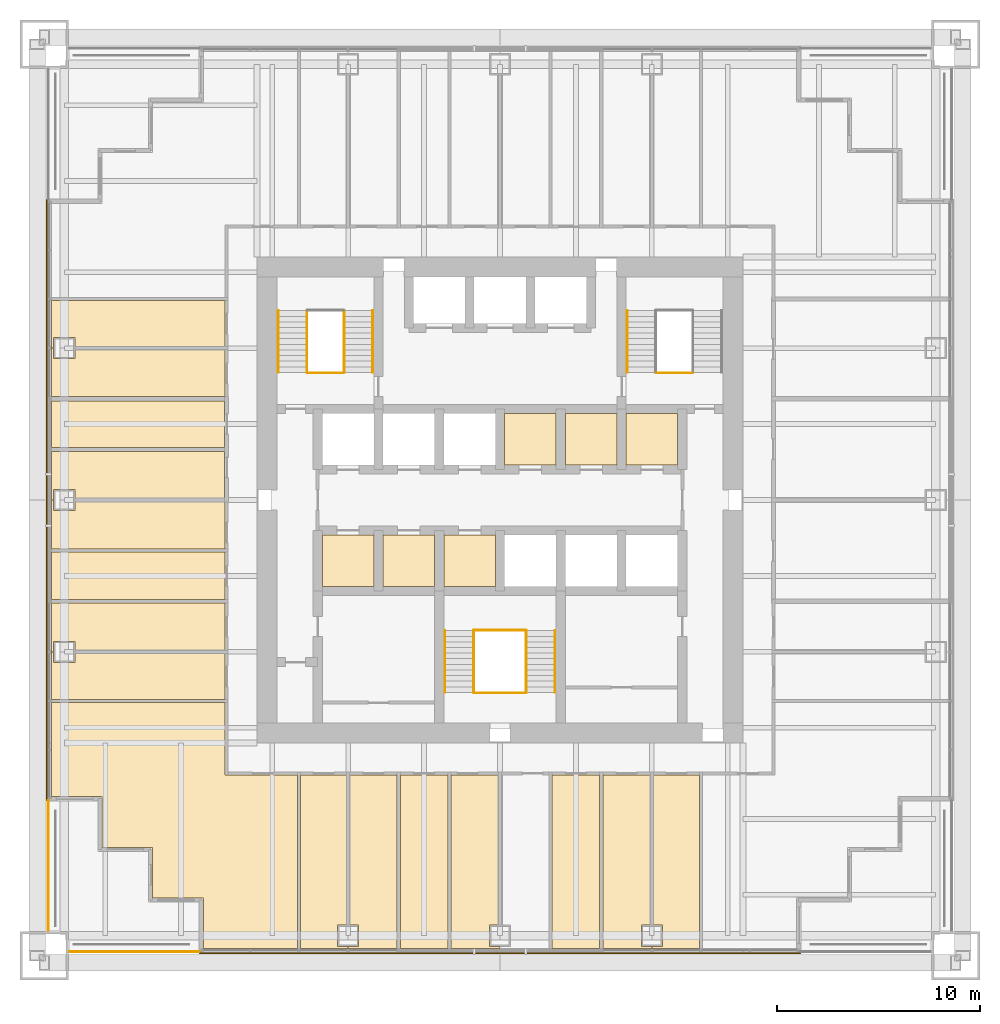
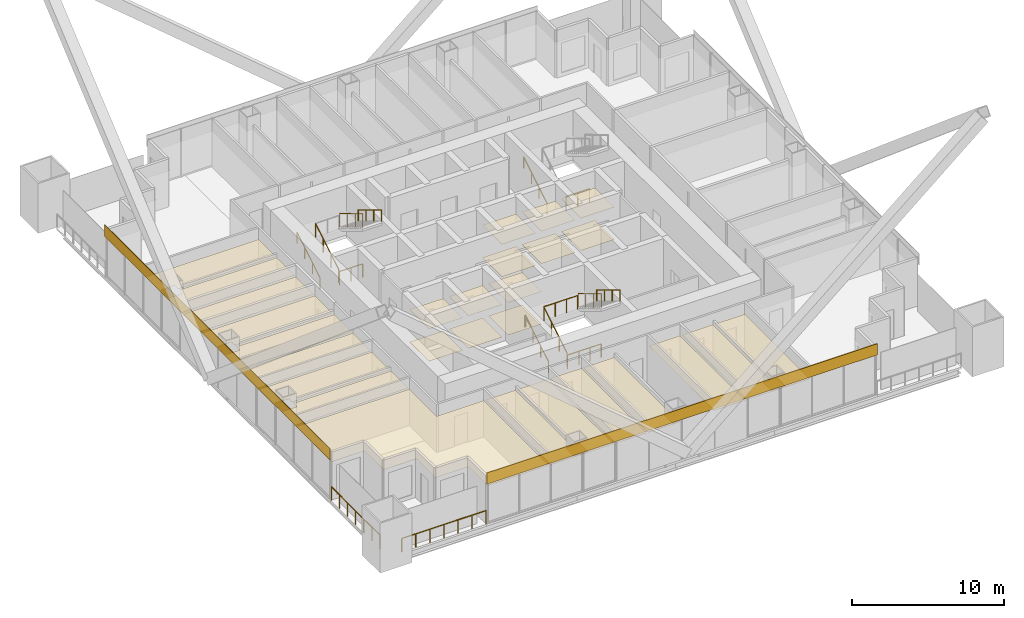
# One storey, part 16 of 17: 30 coverings, 15 railings.
"""IFC4 building model written with IfcOpenShell, lengths in metres."""

from ifc_helpers import new_model, si_unit, direction, frame, origin, origin_2d, place, context, subcontext, project, spatial, polyline, rectangle, circle, outline, extrude, material, layer, layer_set, type_object, element, save


model = new_model("IFC4")

# Units and contexts
model_context = context("Model", 3, precision=1e-05, world=origin(), true_north=direction((0.0, 1.0)))
body_context = subcontext(model_context, "Body", "Model", "MODEL_VIEW")
ifc_project = project(units=[si_unit("LENGTHUNIT", "METRE"), si_unit("AREAUNIT", "SQUARE_METRE"), si_unit("VOLUMEUNIT", "CUBIC_METRE"), si_unit("PLANEANGLEUNIT", "RADIAN"), si_unit("MASSUNIT", "GRAM", prefix="KILO")], contexts=[model_context])

# Site, building, storey
site_placement = place(None, origin())
site = spatial("IfcSite", under=ifc_project, at=site_placement, CompositionType="ELEMENT")
building_placement = place(site_placement, origin())
building = spatial("IfcBuilding", under=site, at=building_placement, Name="Tarangal Relay Tower", CompositionType="ELEMENT")
storey_placement = place(building_placement, frame((0.0, 0.0, 233.89990234375)))
storey = spatial("IfcBuildingStorey", under=building, at=storey_placement, Name="L50", CompositionType="ELEMENT", Elevation=233.89990234375)

# Coverings
ifc_material_1 = material(Name="Anti-static vinyl flooring", Category="plastic")
ifc_layer_1 = layer(ifc_material_1, 0.010009765625)
ifc_layer_set_1 = layer_set([ifc_layer_1], Name="Anti-static vinyl floor")
covering_type_1 = type_object("IfcCoveringType", Name="Anti-static vinyl floor", PredefinedType="FLOORING", material=ifc_layer_set_1)
covering_1_placement = place(storey_placement, origin())
element("IfcCovering", 1, at=covering_1_placement, inside=storey, type_object=covering_type_1, Name="Floor finish FL1 L50-T1", PredefinedType="FLOORING", context=body_context, shape_type="SweptSolid", body=[
    extrude(outline(polyline([(0.22509765625, 1.72509765625), (2.77490234375, 1.72509765625), (2.77490234375, 4.27490234375), (0.22509765625, 4.27490234375), (0.22509765625, 1.72509765625)])), origin(), (0.0, 0.0, 1.0), 0.010009765625),
])
covering_2_placement = place(storey_placement, origin())
element("IfcCovering", 2, at=covering_2_placement, inside=storey, type_object=covering_type_1, Name="Floor finish FL1 L50-T2", PredefinedType="FLOORING", context=body_context, shape_type="SweptSolid", body=[
    extrude(outline(polyline([(3.22509765625, 1.72509765625), (5.77490234375, 1.72509765625), (5.77490234375, 4.27490234375), (3.22509765625, 4.27490234375), (3.22509765625, 1.72509765625)])), origin(), (0.0, 0.0, 1.0), 0.010009765625),
])
covering_3_placement = place(storey_placement, origin())
element("IfcCovering", 3, at=covering_3_placement, inside=storey, type_object=covering_type_1, Name="Floor finish FL1 L50-T3", PredefinedType="FLOORING", context=body_context, shape_type="SweptSolid", body=[
    extrude(outline(polyline([(6.22509765625, 1.72509765625), (8.77490234375, 1.72509765625), (8.77490234375, 4.27490234375), (6.22509765625, 4.27490234375), (6.22509765625, 1.72509765625)])), origin(), (0.0, 0.0, 1.0), 0.010009765625),
])
covering_4_placement = place(storey_placement, origin())
element("IfcCovering", 4, at=covering_4_placement, inside=storey, type_object=covering_type_1, Name="Floor finish FL1 L50-S1", PredefinedType="FLOORING", context=body_context, shape_type="SweptSolid", body=[
    extrude(outline(polyline([(-8.77490234375, -4.27490234375), (-6.22509765625, -4.27490234375), (-6.22509765625, -1.72509765625), (-8.77490234375, -1.72509765625), (-8.77490234375, -4.27490234375)])), origin(), (0.0, 0.0, 1.0), 0.010009765625),
])
covering_5_placement = place(storey_placement, origin())
element("IfcCovering", 5, at=covering_5_placement, inside=storey, type_object=covering_type_1, Name="Floor finish FL1 L50-S2", PredefinedType="FLOORING", context=body_context, shape_type="SweptSolid", body=[
    extrude(outline(polyline([(-5.77490234375, -4.27490234375), (-3.22509765625, -4.27490234375), (-3.22509765625, -1.72509765625), (-5.77490234375, -1.72509765625), (-5.77490234375, -4.27490234375)])), origin(), (0.0, 0.0, 1.0), 0.010009765625),
])
covering_6_placement = place(storey_placement, origin())
element("IfcCovering", 6, at=covering_6_placement, inside=storey, type_object=covering_type_1, Name="Floor finish FL1 L50-S3", PredefinedType="FLOORING", context=body_context, shape_type="SweptSolid", body=[
    extrude(outline(polyline([(-2.77490234375, -4.27490234375), (-0.22509765625, -4.27490234375), (-0.22509765625, -1.72509765625), (-2.77490234375, -1.72509765625), (-2.77490234375, -4.27490234375)])), origin(), (0.0, 0.0, 1.0), 0.010009765625),
])
ifc_material_2 = material(Name="Black anodised aluminium cladding", Category="aluminium")
ifc_layer_2 = layer(ifc_material_2, 0.050048828125)
ifc_layer_set_2 = layer_set([ifc_layer_2], Name="Black metal spandrel band")
covering_type_2 = type_object("IfcCoveringType", Name="Black metal spandrel band", PredefinedType="CLADDING", material=ifc_layer_set_2)
for number, where, z_axis, x_axis, name in (
    (7, (0.0, -22.375, 3.250244140625), (0.0, 0.0, 1.0), (-1.0, 0.0, 0.0), "Spandrel band SB1 S L50"),
    (8, (-22.375, 0.0, 3.250244140625), (0.0, 0.0, 1.0), (0.0, 1.0, 0.0), "Spandrel band SB1 W L50"),
):
    element("IfcCovering", number, at=place(storey_placement, frame(where, z_axis=z_axis, x_axis=x_axis)), inside=storey, type_object=covering_type_2, Name=name, PredefinedType="CLADDING", context=body_context, shape_type="SweptSolid", body=[
        extrude(rectangle(XDim=29.699951171875, YDim=0.050048828125, at=origin_2d()), origin(), (0.0, 0.0, 1.0), 0.89990234375),
    ])

# Railings
ifc_material_3 = material(Name="Steel guard, black finish", Category="steel")
railing_type_1 = type_object("IfcRailingType", Name="Stair guard 1100", PredefinedType="GUARDRAIL", material=ifc_material_3)
railing_1_placement = place(storey_placement, frame((-9.530029296875, 6.300048828125, 0.166748046875)))
element("IfcRailing", 9, at=railing_1_placement, inside=storey, type_object=railing_type_1, Name="Stair ST-A guard GR1 L50 flight 1", PredefinedType="GUARDRAIL", context=body_context, shape_type="SweptSolid", body=[
    extrude(circle(Radius=0.02392578125, at=origin_2d()), frame((0.0, 0.0, 1.076171875), z_axis=(0.0, 0.85685617095, 0.515555527858), x_axis=(-1.0, 0.0, 0.0)), (0.0, 0.0, 1.0), 3.555908203125),
    extrude(circle(Radius=0.02099609375, at=origin_2d()), origin(), (0.0, 0.0, 1.0), 1.052001953125),
    extrude(circle(Radius=0.02099609375, at=origin_2d()), frame((0.0, 1.015625, 0.611083984375)), (0.0, 0.0, 1.0), 1.052001953125),
    extrude(circle(Radius=0.02099609375, at=origin_2d()), frame((0.0, 2.03125, 1.22216796875)), (0.0, 0.0, 1.0), 1.052001953125),
    extrude(circle(Radius=0.02099609375, at=origin_2d()), frame((0.0, 3.046875, 1.833251953125)), (0.0, 0.0, 1.0), 1.052001953125),
])
railing_2_placement = place(storey_placement, frame((-7.695068359375, 9.346923828125, 2.166748046875)))
element("IfcRailing", 10, at=railing_2_placement, inside=storey, type_object=railing_type_1, Name="Stair ST-A guard GR1 L50 flight 2", PredefinedType="GUARDRAIL", context=body_context, shape_type="SweptSolid", body=[
    extrude(circle(Radius=0.02392578125, at=origin_2d()), frame((0.0, 0.0, 1.076171875), z_axis=(0.0, -0.85685617095, 0.515555527858), x_axis=(1.0, 0.0, 0.0)), (0.0, 0.0, 1.0), 3.555908203125),
    extrude(circle(Radius=0.02099609375, at=origin_2d()), origin(), (0.0, 0.0, 1.0), 1.052001953125),
    extrude(circle(Radius=0.02099609375, at=origin_2d()), frame((0.0, -1.015625, 0.611083984375)), (0.0, 0.0, 1.0), 1.052001953125),
    extrude(circle(Radius=0.02099609375, at=origin_2d()), frame((0.0, -2.03125, 1.22216796875)), (0.0, 0.0, 1.0), 1.052001953125),
    extrude(circle(Radius=0.02099609375, at=origin_2d()), frame((0.0, -3.046875, 1.833251953125)), (0.0, 0.0, 1.0), 1.052001953125),
])
for number, where, name in (
    (11, (-9.5, 6.27001953125, 0.0), "Stair ST-A landing guard GR1 L50"),
    (12, (7.72509765625, 6.27001953125, 0.0), "Stair ST-B landing guard GR1 L50"),
):
    element("IfcRailing", number, at=place(storey_placement, frame(where)), inside=storey, type_object=railing_type_1, Name=name, PredefinedType="GUARDRAIL", context=body_context, shape_type="SweptSolid", body=[
        extrude(circle(Radius=0.02392578125, at=origin_2d()), frame((0.0, 0.0, 1.076171875), z_axis=(1.0, 0.0, 0.0), x_axis=(0.0, 1.0, 0.0)), (0.0, 0.0, 1.0), 1.77490234375),
        extrude(circle(Radius=0.02099609375, at=origin_2d()), origin(), (0.0, 0.0, 1.0), 1.052001953125),
        extrude(circle(Radius=0.02099609375, at=origin_2d()), frame((0.887451171875, 0.0, 0.0)), (0.0, 0.0, 1.0), 1.052001953125),
        extrude(circle(Radius=0.02099609375, at=origin_2d()), frame((1.77490234375, 0.0, 0.0)), (0.0, 0.0, 1.0), 1.052001953125),
    ])
railing_3_placement = place(storey_placement, frame((-1.304931640625, -9.5, 0.166748046875)))
element("IfcRailing", 13, at=railing_3_placement, inside=storey, type_object=railing_type_1, Name="Stair ST-C guard GR1 L50 flight 1", PredefinedType="GUARDRAIL", context=body_context, shape_type="SweptSolid", body=[
    extrude(circle(Radius=0.02392578125, at=origin_2d()), frame((0.0, 0.0, 1.076171875), z_axis=(0.0, 0.856874418557, 0.515525199018), x_axis=(-1.0, 0.0, 0.0)), (0.0, 0.0, 1.0), 3.55615234375),
    extrude(circle(Radius=0.02099609375, at=origin_2d()), origin(), (0.0, 0.0, 1.0), 1.052001953125),
    extrude(circle(Radius=0.02099609375, at=origin_2d()), frame((0.0, 1.015625, 0.611083984375)), (0.0, 0.0, 1.0), 1.052001953125),
    extrude(circle(Radius=0.02099609375, at=origin_2d()), frame((0.0, 2.031494140625, 1.22216796875)), (0.0, 0.0, 1.0), 1.052001953125),
    extrude(circle(Radius=0.02099609375, at=origin_2d()), frame((0.0, 3.047119140625, 1.833251953125)), (0.0, 0.0, 1.0), 1.052001953125),
])
railing_4_placement = place(storey_placement, frame((1.304931640625, -6.452880859375, 2.166748046875)))
element("IfcRailing", 14, at=railing_4_placement, inside=storey, type_object=railing_type_1, Name="Stair ST-C guard GR1 L50 flight 2", PredefinedType="GUARDRAIL", context=body_context, shape_type="SweptSolid", body=[
    extrude(circle(Radius=0.02392578125, at=origin_2d()), frame((0.0, 0.0, 1.076171875), z_axis=(0.0, -0.856874418557, 0.515525199018), x_axis=(1.0, 0.0, 0.0)), (0.0, 0.0, 1.0), 3.55615234375),
    extrude(circle(Radius=0.02099609375, at=origin_2d()), origin(), (0.0, 0.0, 1.0), 1.052001953125),
    extrude(circle(Radius=0.02099609375, at=origin_2d()), frame((0.0, -1.015625, 0.611083984375)), (0.0, 0.0, 1.0), 1.052001953125),
    extrude(circle(Radius=0.02099609375, at=origin_2d()), frame((0.0, -2.031494140625, 1.22216796875)), (0.0, 0.0, 1.0), 1.052001953125),
    extrude(circle(Radius=0.02099609375, at=origin_2d()), frame((0.0, -3.047119140625, 1.833251953125)), (0.0, 0.0, 1.0), 1.052001953125),
])
for number, where, name in (
    (15, (-1.27490234375, -9.530029296875, 0.0), "Stair ST-C landing guard GR1 L50"),
    (16, (-1.27490234375, -6.423095703125, 2.0), "Stair ST-C landing guard GR1 L50"),
):
    element("IfcRailing", number, at=place(storey_placement, frame(where)), inside=storey, type_object=railing_type_1, Name=name, PredefinedType="GUARDRAIL", context=body_context, shape_type="SweptSolid", body=[
        extrude(circle(Radius=0.02392578125, at=origin_2d()), frame((0.0, 0.0, 1.076171875), z_axis=(1.0, 0.0, 0.0), x_axis=(0.0, 1.0, 0.0)), (0.0, 0.0, 1.0), 2.5498046875),
        extrude(circle(Radius=0.02099609375, at=origin_2d()), origin(), (0.0, 0.0, 1.0), 1.052001953125),
        extrude(circle(Radius=0.02099609375, at=origin_2d()), frame((0.849853515625, 0.0, 0.0)), (0.0, 0.0, 1.0), 1.052001953125),
        extrude(circle(Radius=0.02099609375, at=origin_2d()), frame((1.699951171875, 0.0, 0.0)), (0.0, 0.0, 1.0), 1.052001953125),
        extrude(circle(Radius=0.02099609375, at=origin_2d()), frame((2.5498046875, 0.0, 0.0)), (0.0, 0.0, 1.0), 1.052001953125),
    ])
ifc_material_4 = material(Name="Steel handrail, black finish", Category="steel")
railing_type_2 = type_object("IfcRailingType", Name="Stair handrail 900", PredefinedType="HANDRAIL", material=ifc_material_4)
railing_5_placement = place(storey_placement, frame((-10.93994140625, 6.300048828125, 0.166748046875)))
element("IfcRailing", 17, at=railing_5_placement, inside=storey, type_object=railing_type_2, Name="Stair ST-A handrail HR1 L50 flight 1", PredefinedType="HANDRAIL", context=body_context, shape_type="SweptSolid", body=[
    extrude(circle(Radius=0.02392578125, at=origin_2d()), frame((0.0, 0.0, 0.8759765625), z_axis=(0.0, 0.85685617095, 0.515555527858), x_axis=(-1.0, 0.0, 0.0)), (0.0, 0.0, 1.0), 3.555908203125),
    extrude(circle(Radius=0.02099609375, at=origin_2d()), origin(), (0.0, 0.0, 1.0), 0.851806640625),
    extrude(circle(Radius=0.02099609375, at=origin_2d()), frame((0.0, 1.015625, 0.611083984375)), (0.0, 0.0, 1.0), 0.851806640625),
    extrude(circle(Radius=0.02099609375, at=origin_2d()), frame((0.0, 2.03125, 1.22216796875)), (0.0, 0.0, 1.0), 0.851806640625),
    extrude(circle(Radius=0.02099609375, at=origin_2d()), frame((0.0, 3.046875, 1.833251953125)), (0.0, 0.0, 1.0), 0.851806640625),
])
railing_6_placement = place(storey_placement, frame((-6.284912109375, 9.346923828125, 2.166748046875)))
element("IfcRailing", 18, at=railing_6_placement, inside=storey, type_object=railing_type_2, Name="Stair ST-A handrail HR1 L50 flight 2", PredefinedType="HANDRAIL", context=body_context, shape_type="SweptSolid", body=[
    extrude(circle(Radius=0.02392578125, at=origin_2d()), frame((0.0, 0.0, 0.8759765625), z_axis=(0.0, -0.85685617095, 0.515555527858), x_axis=(1.0, 0.0, 0.0)), (0.0, 0.0, 1.0), 3.555908203125),
    extrude(circle(Radius=0.02099609375, at=origin_2d()), origin(), (0.0, 0.0, 1.0), 0.851806640625),
    extrude(circle(Radius=0.02099609375, at=origin_2d()), frame((0.0, -1.015625, 0.611083984375)), (0.0, 0.0, 1.0), 0.851806640625),
    extrude(circle(Radius=0.02099609375, at=origin_2d()), frame((0.0, -2.03125, 1.22216796875)), (0.0, 0.0, 1.0), 0.851806640625),
    extrude(circle(Radius=0.02099609375, at=origin_2d()), frame((0.0, -3.046875, 1.833251953125)), (0.0, 0.0, 1.0), 0.851806640625),
])
railing_7_placement = place(storey_placement, frame((6.284912109375, 6.300048828125, 0.166748046875)))
element("IfcRailing", 19, at=railing_7_placement, inside=storey, type_object=railing_type_2, Name="Stair ST-B handrail HR1 L50 flight 1", PredefinedType="HANDRAIL", context=body_context, shape_type="SweptSolid", body=[
    extrude(circle(Radius=0.02392578125, at=origin_2d()), frame((0.0, 0.0, 0.8759765625), z_axis=(0.0, 0.85685617095, 0.515555527858), x_axis=(-1.0, 0.0, 0.0)), (0.0, 0.0, 1.0), 3.555908203125),
    extrude(circle(Radius=0.02099609375, at=origin_2d()), origin(), (0.0, 0.0, 1.0), 0.851806640625),
    extrude(circle(Radius=0.02099609375, at=origin_2d()), frame((0.0, 1.015625, 0.611083984375)), (0.0, 0.0, 1.0), 0.851806640625),
    extrude(circle(Radius=0.02099609375, at=origin_2d()), frame((0.0, 2.03125, 1.22216796875)), (0.0, 0.0, 1.0), 0.851806640625),
    extrude(circle(Radius=0.02099609375, at=origin_2d()), frame((0.0, 3.046875, 1.833251953125)), (0.0, 0.0, 1.0), 0.851806640625),
])
railing_8_placement = place(storey_placement, frame((-2.715087890625, -9.5, 0.166748046875)))
element("IfcRailing", 20, at=railing_8_placement, inside=storey, type_object=railing_type_2, Name="Stair ST-C handrail HR1 L50 flight 1", PredefinedType="HANDRAIL", context=body_context, shape_type="SweptSolid", body=[
    extrude(circle(Radius=0.02392578125, at=origin_2d()), frame((0.0, 0.0, 0.8759765625), z_axis=(0.0, 0.856874418557, 0.515525199018), x_axis=(-1.0, 0.0, 0.0)), (0.0, 0.0, 1.0), 3.55615234375),
    extrude(circle(Radius=0.02099609375, at=origin_2d()), origin(), (0.0, 0.0, 1.0), 0.851806640625),
    extrude(circle(Radius=0.02099609375, at=origin_2d()), frame((0.0, 1.015625, 0.611083984375)), (0.0, 0.0, 1.0), 0.851806640625),
    extrude(circle(Radius=0.02099609375, at=origin_2d()), frame((0.0, 2.031494140625, 1.22216796875)), (0.0, 0.0, 1.0), 0.851806640625),
    extrude(circle(Radius=0.02099609375, at=origin_2d()), frame((0.0, 3.047119140625, 1.833251953125)), (0.0, 0.0, 1.0), 0.851806640625),
])
railing_9_placement = place(storey_placement, frame((2.715087890625, -6.452880859375, 2.166748046875)))
element("IfcRailing", 21, at=railing_9_placement, inside=storey, type_object=railing_type_2, Name="Stair ST-C handrail HR1 L50 flight 2", PredefinedType="HANDRAIL", context=body_context, shape_type="SweptSolid", body=[
    extrude(circle(Radius=0.02392578125, at=origin_2d()), frame((0.0, 0.0, 0.8759765625), z_axis=(0.0, -0.856874418557, 0.515525199018), x_axis=(1.0, 0.0, 0.0)), (0.0, 0.0, 1.0), 3.55615234375),
    extrude(circle(Radius=0.02099609375, at=origin_2d()), origin(), (0.0, 0.0, 1.0), 0.851806640625),
    extrude(circle(Radius=0.02099609375, at=origin_2d()), frame((0.0, -1.015625, 0.611083984375)), (0.0, 0.0, 1.0), 0.851806640625),
    extrude(circle(Radius=0.02099609375, at=origin_2d()), frame((0.0, -2.031494140625, 1.22216796875)), (0.0, 0.0, 1.0), 0.851806640625),
    extrude(circle(Radius=0.02099609375, at=origin_2d()), frame((0.0, -3.047119140625, 1.833251953125)), (0.0, 0.0, 1.0), 0.851806640625),
])

# Coverings
ifc_material_5 = material(Name="Mineral fibre ceiling tiles", Category="gypsum")
ifc_layer_3 = layer(ifc_material_5, 0.02001953125)
ifc_layer_set_3 = layer_set([ifc_layer_3], Name="Suspended ceiling")
covering_type_3 = type_object("IfcCoveringType", Name="Suspended ceiling", PredefinedType="CEILING", material=ifc_layer_set_3)
covering_7_placement = place(storey_placement, frame((0.0, 0.0, 2.60009765625)))
element("IfcCovering", 22, at=covering_7_placement, inside=storey, type_object=covering_type_3, Name="Suspended ceiling CL1 L50-T1", PredefinedType="CEILING", context=body_context, shape_type="SweptSolid", body=[
    extrude(outline(polyline([(0.22509765625, 1.72509765625), (2.77490234375, 1.72509765625), (2.77490234375, 4.27490234375), (0.22509765625, 4.27490234375), (0.22509765625, 1.72509765625)])), origin(), (0.0, 0.0, 1.0), 0.02001953125),
])
covering_8_placement = place(storey_placement, frame((0.0, 0.0, 2.60009765625)))
element("IfcCovering", 23, at=covering_8_placement, inside=storey, type_object=covering_type_3, Name="Suspended ceiling CL1 L50-T2", PredefinedType="CEILING", context=body_context, shape_type="SweptSolid", body=[
    extrude(outline(polyline([(3.22509765625, 1.72509765625), (5.77490234375, 1.72509765625), (5.77490234375, 4.27490234375), (3.22509765625, 4.27490234375), (3.22509765625, 1.72509765625)])), origin(), (0.0, 0.0, 1.0), 0.02001953125),
])
covering_9_placement = place(storey_placement, frame((0.0, 0.0, 2.60009765625)))
element("IfcCovering", 24, at=covering_9_placement, inside=storey, type_object=covering_type_3, Name="Suspended ceiling CL1 L50-T3", PredefinedType="CEILING", context=body_context, shape_type="SweptSolid", body=[
    extrude(outline(polyline([(6.22509765625, 1.72509765625), (8.77490234375, 1.72509765625), (8.77490234375, 4.27490234375), (6.22509765625, 4.27490234375), (6.22509765625, 1.72509765625)])), origin(), (0.0, 0.0, 1.0), 0.02001953125),
])
covering_10_placement = place(storey_placement, frame((0.0, 0.0, 2.60009765625)))
element("IfcCovering", 25, at=covering_10_placement, inside=storey, type_object=covering_type_3, Name="Suspended ceiling CL1 L50-S1", PredefinedType="CEILING", context=body_context, shape_type="SweptSolid", body=[
    extrude(outline(polyline([(-8.77490234375, -4.27490234375), (-6.22509765625, -4.27490234375), (-6.22509765625, -1.72509765625), (-8.77490234375, -1.72509765625), (-8.77490234375, -4.27490234375)])), origin(), (0.0, 0.0, 1.0), 0.02001953125),
])
covering_11_placement = place(storey_placement, frame((0.0, 0.0, 2.60009765625)))
element("IfcCovering", 26, at=covering_11_placement, inside=storey, type_object=covering_type_3, Name="Suspended ceiling CL1 L50-S2", PredefinedType="CEILING", context=body_context, shape_type="SweptSolid", body=[
    extrude(outline(polyline([(-5.77490234375, -4.27490234375), (-3.22509765625, -4.27490234375), (-3.22509765625, -1.72509765625), (-5.77490234375, -1.72509765625), (-5.77490234375, -4.27490234375)])), origin(), (0.0, 0.0, 1.0), 0.02001953125),
])
covering_12_placement = place(storey_placement, frame((0.0, 0.0, 2.60009765625)))
element("IfcCovering", 27, at=covering_12_placement, inside=storey, type_object=covering_type_3, Name="Suspended ceiling CL1 L50-S3", PredefinedType="CEILING", context=body_context, shape_type="SweptSolid", body=[
    extrude(outline(polyline([(-2.77490234375, -4.27490234375), (-0.22509765625, -4.27490234375), (-0.22509765625, -1.72509765625), (-2.77490234375, -1.72509765625), (-2.77490234375, -4.27490234375)])), origin(), (0.0, 0.0, 1.0), 0.02001953125),
])
covering_13_placement = place(storey_placement, frame((0.0, 0.0, 2.900146484375)))
element("IfcCovering", 28, at=covering_13_placement, inside=storey, type_object=covering_type_3, Name="Suspended ceiling CL1 L50-15", PredefinedType="CEILING", context=body_context, shape_type="SweptSolid", body=[
    extrude(outline(polyline([(7.5, -22.14990234375), (9.842041015625, -22.14990234375), (9.842041015625, -13.574951171875), (7.574951171875, -13.574951171875), (7.574951171875, -20.989990234375), (8.02490234375, -20.989990234375), (8.02490234375, -22.0400390625), (7.5, -22.0400390625), (7.5, -22.14990234375)])), origin(), (0.0, 0.0, 1.0), 0.02001953125),
])
covering_14_placement = place(storey_placement, frame((0.0, 0.0, 2.900146484375)))
element("IfcCovering", 29, at=covering_14_placement, inside=storey, type_object=covering_type_3, Name="Suspended ceiling CL1 L50-16", PredefinedType="CEILING", context=body_context, shape_type="SweptSolid", body=[
    extrude(outline(polyline([(5.074951171875, -22.14990234375), (7.5, -22.14990234375), (7.5, -22.0400390625), (6.97509765625, -22.0400390625), (6.97509765625, -20.989990234375), (7.425048828125, -20.989990234375), (7.425048828125, -13.574951171875), (5.074951171875, -13.574951171875), (5.074951171875, -22.14990234375)])), origin(), (0.0, 0.0, 1.0), 0.02001953125),
])
covering_15_placement = place(storey_placement, frame((0.0, 0.0, 2.900146484375)))
element("IfcCovering", 30, at=covering_15_placement, inside=storey, type_object=covering_type_3, Name="Suspended ceiling CL1 L50-17", PredefinedType="CEILING", context=body_context, shape_type="SweptSolid", body=[
    extrude(outline(polyline([(4.925048828125, -22.14990234375), (4.925048828125, -13.574951171875), (2.574951171875, -13.574951171875), (2.574951171875, -22.14990234375), (4.925048828125, -22.14990234375)])), origin(), (0.0, 0.0, 1.0), 0.02001953125),
])
covering_16_placement = place(storey_placement, frame((0.0, 0.0, 2.900146484375)))
element("IfcCovering", 31, at=covering_16_placement, inside=storey, type_object=covering_type_3, Name="Suspended ceiling CL1 L50-19", PredefinedType="CEILING", context=body_context, shape_type="SweptSolid", body=[
    extrude(outline(polyline([(-2.425048828125, -22.14990234375), (0.0, -22.14990234375), (0.0, -22.0400390625), (-0.52490234375, -22.0400390625), (-0.52490234375, -20.989990234375), (-0.074951171875, -20.989990234375), (-0.074951171875, -13.574951171875), (-2.425048828125, -13.574951171875), (-2.425048828125, -22.14990234375)])), origin(), (0.0, 0.0, 1.0), 0.02001953125),
])
covering_17_placement = place(storey_placement, frame((0.0, 0.0, 2.900146484375)))
element("IfcCovering", 32, at=covering_17_placement, inside=storey, type_object=covering_type_3, Name="Suspended ceiling CL1 L50-20", PredefinedType="CEILING", context=body_context, shape_type="SweptSolid", body=[
    extrude(outline(polyline([(-2.574951171875, -22.14990234375), (-2.574951171875, -13.574951171875), (-4.925048828125, -13.574951171875), (-4.925048828125, -22.14990234375), (-2.574951171875, -22.14990234375)])), origin(), (0.0, 0.0, 1.0), 0.02001953125),
])
covering_18_placement = place(storey_placement, frame((0.0, 0.0, 2.900146484375)))
element("IfcCovering", 33, at=covering_18_placement, inside=storey, type_object=covering_type_3, Name="Suspended ceiling CL1 L50-21", PredefinedType="CEILING", context=body_context, shape_type="SweptSolid", body=[
    extrude(outline(polyline([(-7.5, -22.14990234375), (-5.074951171875, -22.14990234375), (-5.074951171875, -13.574951171875), (-7.425048828125, -13.574951171875), (-7.425048828125, -20.989990234375), (-6.97509765625, -20.989990234375), (-6.97509765625, -22.0400390625), (-7.5, -22.0400390625), (-7.5, -22.14990234375)])), origin(), (0.0, 0.0, 1.0), 0.02001953125),
])
covering_19_placement = place(storey_placement, frame((0.0, 0.0, 2.900146484375)))
element("IfcCovering", 34, at=covering_19_placement, inside=storey, type_object=covering_type_3, Name="Suspended ceiling CL1 L50-22", PredefinedType="CEILING", context=body_context, shape_type="SweptSolid", body=[
    extrude(outline(polyline([(-9.842041015625, -22.14990234375), (-7.5, -22.14990234375), (-7.5, -22.0400390625), (-8.02490234375, -22.0400390625), (-8.02490234375, -20.989990234375), (-7.574951171875, -20.989990234375), (-7.574951171875, -13.574951171875), (-9.842041015625, -13.574951171875), (-9.842041015625, -22.14990234375)])), origin(), (0.0, 0.0, 1.0), 0.02001953125),
])
covering_20_placement = place(storey_placement, frame((0.0, 0.0, 2.900146484375)))
element("IfcCovering", 35, at=covering_20_placement, inside=storey, type_object=covering_type_3, Name="Suspended ceiling CL1 L50-23", PredefinedType="CEILING", context=body_context, shape_type="SweptSolid", body=[
    extrude(outline(polyline([(-22.14990234375, -7.5), (-22.14990234375, -9.842041015625), (-13.574951171875, -9.842041015625), (-13.574951171875, -7.574951171875), (-20.989990234375, -7.574951171875), (-20.989990234375, -8.02490234375), (-22.0400390625, -8.02490234375), (-22.0400390625, -7.5), (-22.14990234375, -7.5)])), origin(), (0.0, 0.0, 1.0), 0.02001953125),
])
covering_21_placement = place(storey_placement, frame((0.0, 0.0, 2.900146484375)))
element("IfcCovering", 36, at=covering_21_placement, inside=storey, type_object=covering_type_3, Name="Suspended ceiling CL1 L50-24", PredefinedType="CEILING", context=body_context, shape_type="SweptSolid", body=[
    extrude(outline(polyline([(-22.14990234375, -5.074951171875), (-22.14990234375, -7.5), (-22.0400390625, -7.5), (-22.0400390625, -6.97509765625), (-20.989990234375, -6.97509765625), (-20.989990234375, -7.425048828125), (-13.574951171875, -7.425048828125), (-13.574951171875, -5.074951171875), (-22.14990234375, -5.074951171875)])), origin(), (0.0, 0.0, 1.0), 0.02001953125),
])
covering_22_placement = place(storey_placement, frame((0.0, 0.0, 2.900146484375)))
element("IfcCovering", 37, at=covering_22_placement, inside=storey, type_object=covering_type_3, Name="Suspended ceiling CL1 L50-25", PredefinedType="CEILING", context=body_context, shape_type="SweptSolid", body=[
    extrude(outline(polyline([(-22.14990234375, -4.925048828125), (-13.574951171875, -4.925048828125), (-13.574951171875, -2.574951171875), (-22.14990234375, -2.574951171875), (-22.14990234375, -4.925048828125)])), origin(), (0.0, 0.0, 1.0), 0.02001953125),
])
covering_23_placement = place(storey_placement, frame((0.0, 0.0, 2.900146484375)))
element("IfcCovering", 38, at=covering_23_placement, inside=storey, type_object=covering_type_3, Name="Suspended ceiling CL1 L50-26", PredefinedType="CEILING", context=body_context, shape_type="SweptSolid", body=[
    extrude(outline(polyline([(-22.14990234375, 0.0), (-22.14990234375, -2.425048828125), (-13.574951171875, -2.425048828125), (-13.574951171875, -0.10009765625), (-20.989990234375, -0.10009765625), (-20.989990234375, -0.52490234375), (-22.0400390625, -0.52490234375), (-22.0400390625, 0.0), (-22.14990234375, 0.0)])), origin(), (0.0, 0.0, 1.0), 0.02001953125),
])
covering_24_placement = place(storey_placement, frame((0.0, 0.0, 2.900146484375)))
element("IfcCovering", 39, at=covering_24_placement, inside=storey, type_object=covering_type_3, Name="Suspended ceiling CL1 L50-27", PredefinedType="CEILING", context=body_context, shape_type="SweptSolid", body=[
    extrude(outline(polyline([(-22.14990234375, 2.39990234375), (-22.14990234375, 0.0), (-22.0400390625, 0.0), (-22.0400390625, 0.52490234375), (-20.989990234375, 0.52490234375), (-20.989990234375, 0.10009765625), (-13.60009765625, 0.10009765625), (-13.60009765625, 2.39990234375), (-22.14990234375, 2.39990234375)])), origin(), (0.0, 0.0, 1.0), 0.02001953125),
])
covering_25_placement = place(storey_placement, frame((0.0, 0.0, 2.900146484375)))
element("IfcCovering", 40, at=covering_25_placement, inside=storey, type_object=covering_type_3, Name="Suspended ceiling CL1 L50-28", PredefinedType="CEILING", context=body_context, shape_type="SweptSolid", body=[
    extrude(outline(polyline([(-22.14990234375, 2.60009765625), (-13.60009765625, 2.60009765625), (-13.60009765625, 4.89990234375), (-22.14990234375, 4.89990234375), (-22.14990234375, 2.60009765625)])), origin(), (0.0, 0.0, 1.0), 0.02001953125),
])
covering_26_placement = place(storey_placement, frame((0.0, 0.0, 2.900146484375)))
element("IfcCovering", 41, at=covering_26_placement, inside=storey, type_object=covering_type_3, Name="Suspended ceiling CL1 L50-29", PredefinedType="CEILING", context=body_context, shape_type="SweptSolid", body=[
    extrude(outline(polyline([(-22.14990234375, 7.5), (-22.14990234375, 5.10009765625), (-13.574951171875, 5.10009765625), (-13.574951171875, 7.425048828125), (-20.989990234375, 7.425048828125), (-20.989990234375, 6.97509765625), (-22.0400390625, 6.97509765625), (-22.0400390625, 7.5), (-22.14990234375, 7.5)])), origin(), (0.0, 0.0, 1.0), 0.02001953125),
])
covering_27_placement = place(storey_placement, frame((0.0, 0.0, 2.900146484375)))
element("IfcCovering", 42, at=covering_27_placement, inside=storey, type_object=covering_type_3, Name="Suspended ceiling CL1 L50-30", PredefinedType="CEILING", context=body_context, shape_type="SweptSolid", body=[
    extrude(outline(polyline([(-22.14990234375, 9.842041015625), (-22.14990234375, 7.5), (-22.0400390625, 7.5), (-22.0400390625, 8.02490234375), (-20.989990234375, 8.02490234375), (-20.989990234375, 7.574951171875), (-13.574951171875, 7.574951171875), (-13.574951171875, 9.842041015625), (-22.14990234375, 9.842041015625)])), origin(), (0.0, 0.0, 1.0), 0.02001953125),
])
covering_28_placement = place(storey_placement, frame((0.0, 0.0, 2.900146484375)))
element("IfcCovering", 43, at=covering_28_placement, inside=storey, type_object=covering_type_3, Name="Suspended ceiling CL1 L50-33", PredefinedType="CEILING", context=body_context, shape_type="SweptSolid", body=[
    extrude(outline(polyline([(-14.64990234375, -19.64990234375), (-14.64990234375, -22.14990234375), (-9.991943359375, -22.14990234375), (-9.991943359375, -13.574951171875), (-13.574951171875, -13.574951171875), (-13.574951171875, -9.991943359375), (-22.14990234375, -9.991943359375), (-22.14990234375, -14.64990234375), (-19.64990234375, -14.64990234375), (-19.64990234375, -17.14990234375), (-17.14990234375, -17.14990234375), (-17.14990234375, -19.64990234375), (-14.64990234375, -19.64990234375)])), origin(), (0.0, 0.0, 1.0), 0.02001953125),
])

# Railings
ifc_material_6 = material(Name="Black steel guard with glass infill", Category="steel")
railing_type_3 = type_object("IfcRailingType", Name="Terrace guard 1100", PredefinedType="GUARDRAIL", material=ifc_material_6)
railing_10_placement = place(storey_placement, frame((-14.85009765625, -22.300048828125, 0.0)))
element("IfcRailing", 44, at=railing_10_placement, inside=storey, type_object=railing_type_3, Name="Terrace guard GR2 SW L50", PredefinedType="GUARDRAIL", context=body_context, shape_type="SweptSolid", body=[
    extrude(circle(Radius=0.02392578125, at=origin_2d()), frame((0.0, 0.0, 1.076171875), z_axis=(-1.0, 0.0, 0.0), x_axis=(0.0, -1.0, 0.0)), (0.0, 0.0, 1.0), 6.39990234375),
    extrude(circle(Radius=0.02099609375, at=origin_2d()), origin(), (0.0, 0.0, 1.0), 1.052001953125),
    extrude(circle(Radius=0.02099609375, at=origin_2d()), frame((-1.066650390625, 0.0, 0.0)), (0.0, 0.0, 1.0), 1.052001953125),
    extrude(circle(Radius=0.02099609375, at=origin_2d()), frame((-2.13330078125, 0.0, 0.0)), (0.0, 0.0, 1.0), 1.052001953125),
    extrude(circle(Radius=0.02099609375, at=origin_2d()), frame((-3.199951171875, 0.0, 0.0)), (0.0, 0.0, 1.0), 1.052001953125),
    extrude(circle(Radius=0.02099609375, at=origin_2d()), frame((-4.2666015625, 0.0, 0.0)), (0.0, 0.0, 1.0), 1.052001953125),
    extrude(circle(Radius=0.02099609375, at=origin_2d()), frame((-5.333251953125, 0.0, 0.0)), (0.0, 0.0, 1.0), 1.052001953125),
    extrude(circle(Radius=0.02099609375, at=origin_2d()), frame((-6.39990234375, 0.0, 0.0)), (0.0, 0.0, 1.0), 1.052001953125),
])
railing_11_placement = place(storey_placement, frame((-22.300048828125, -21.25, 0.0)))
element("IfcRailing", 45, at=railing_11_placement, inside=storey, type_object=railing_type_3, Name="Terrace guard GR2 SW L50", PredefinedType="GUARDRAIL", context=body_context, shape_type="SweptSolid", body=[
    extrude(circle(Radius=0.02392578125, at=origin_2d()), frame((0.0, 0.0, 1.076171875), z_axis=(0.0, 1.0, 0.0), x_axis=(-1.0, 0.0, 0.0)), (0.0, 0.0, 1.0), 6.39990234375),
    extrude(circle(Radius=0.02099609375, at=origin_2d()), origin(), (0.0, 0.0, 1.0), 1.052001953125),
    extrude(circle(Radius=0.02099609375, at=origin_2d()), frame((0.0, 1.066650390625, 0.0)), (0.0, 0.0, 1.0), 1.052001953125),
    extrude(circle(Radius=0.02099609375, at=origin_2d()), frame((0.0, 2.13330078125, 0.0)), (0.0, 0.0, 1.0), 1.052001953125),
    extrude(circle(Radius=0.02099609375, at=origin_2d()), frame((0.0, 3.199951171875, 0.0)), (0.0, 0.0, 1.0), 1.052001953125),
    extrude(circle(Radius=0.02099609375, at=origin_2d()), frame((0.0, 4.2666015625, 0.0)), (0.0, 0.0, 1.0), 1.052001953125),
    extrude(circle(Radius=0.02099609375, at=origin_2d()), frame((0.0, 5.333251953125, 0.0)), (0.0, 0.0, 1.0), 1.052001953125),
    extrude(circle(Radius=0.02099609375, at=origin_2d()), frame((0.0, 6.39990234375, 0.0)), (0.0, 0.0, 1.0), 1.052001953125),
])

save(model, "model.ifc")
